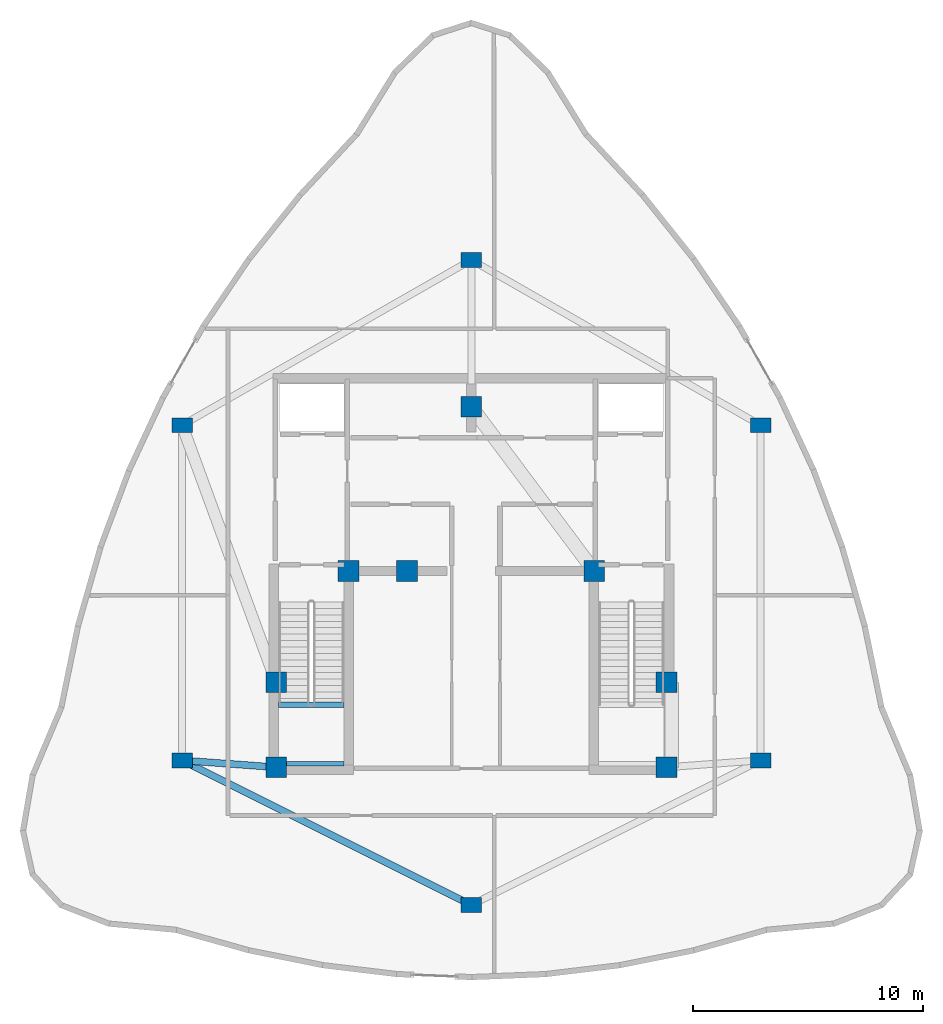
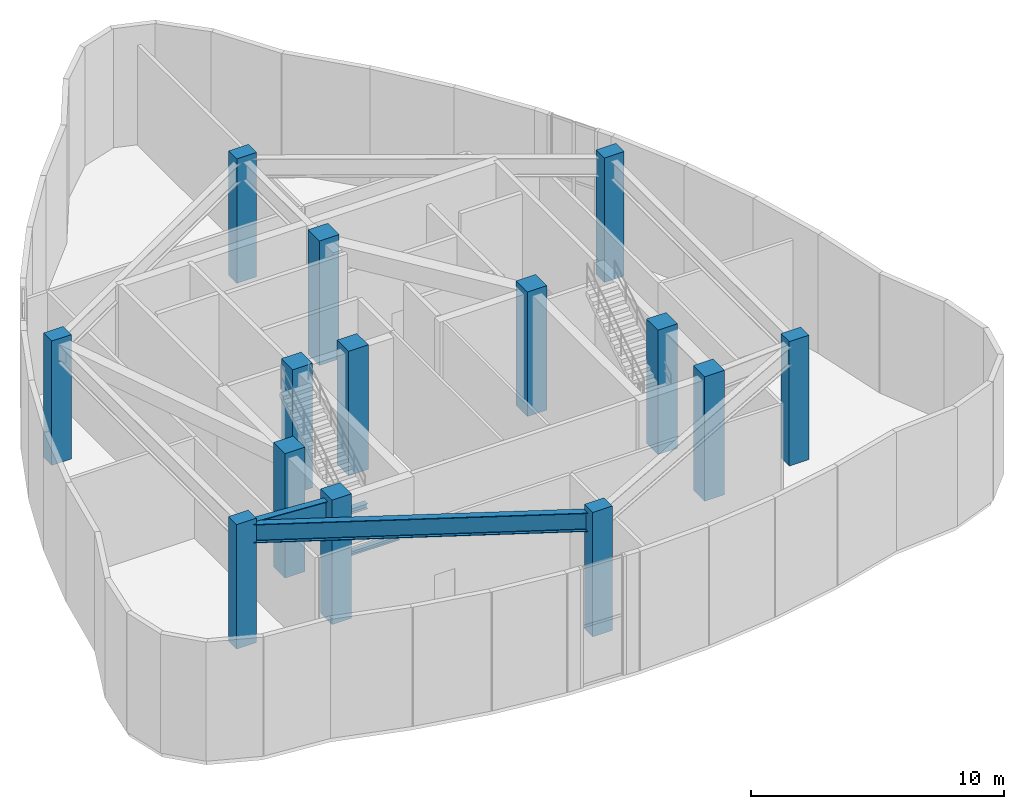
# One storey, part 1 of 10: 14 columns, 4 beams.
"""IFC4 building model written with IfcOpenShell, lengths in metres."""

from ifc_helpers import new_model, si_unit, direction, frame, origin, origin_2d, place, context, subcontext, project, spatial, rectangle, i_section, extrude, material, material_profile, profile_set, type_object, element, save


model = new_model("IFC4")

# Units and contexts
model_context = context("Model", 3, precision=1e-05, world=origin(), true_north=direction((0.0, 1.0)))
body_context = subcontext(model_context, "Body", "Model", "MODEL_VIEW")
ifc_project = project(units=[si_unit("LENGTHUNIT", "METRE"), si_unit("AREAUNIT", "SQUARE_METRE"), si_unit("VOLUMEUNIT", "CUBIC_METRE"), si_unit("PLANEANGLEUNIT", "RADIAN"), si_unit("MASSUNIT", "GRAM", prefix="KILO")], contexts=[model_context])

# Site, building, storey
site_placement = place(None, origin())
site = spatial("IfcSite", under=ifc_project, at=site_placement, CompositionType="ELEMENT")
building_placement = place(site_placement, origin())
building = spatial("IfcBuilding", under=site, at=building_placement, Name="Miruveldt Soraemaru", CompositionType="ELEMENT")
storey_placement = place(building_placement, frame((0.0, 0.0, 306.800048828125)))
storey = spatial("IfcBuildingStorey", under=building, at=storey_placement, Name="L81", CompositionType="ELEMENT", Elevation=306.800048828125)

# Columns
ifc_material_1 = material(Name="Concrete C50/60 (50 MPa)", Category="concrete")
ifc_material_profile_1 = material_profile(ifc_material_1, rectangle(XDim=0.89990234375, YDim=0.89990234375, at=origin_2d()), Name="Concrete C50/60 (50 MPa)", Category="concrete")
ifc_profile_set_1 = profile_set([ifc_material_profile_1], Name="Concrete C50/60 (50 MPa)")
column_type_1 = type_object("IfcColumnType", Name="COL-CORE-900", PredefinedType="COLUMN", material=ifc_profile_set_1)
for number, where, z_axis, x_axis, name in (
    (1, (35.5, 35.5, 0.0), (0.0, 0.0, 1.0), (1.0, 0.0, 0.0), "L81 Structural Column CC1"),
    (2, (38.64990234375, 44.050048828125, 0.0), (0.0, 0.0, 1.0), (1.0, 0.0, 0.0), "L81 Structural Column CC2"),
    (3, (52.5, 35.5, 0.0), (0.0, 0.0, 1.0), (1.0, 0.0, 0.0), "L81 Structural Column CC3"),
    (4, (52.5, 39.199951171875, 0.0), (0.0, 0.0, 1.0), (1.0, 0.0, 0.0), "L81 Structural Column CC4"),
    (5, (49.35009765625, 44.050048828125, 0.0), (0.0, 0.0, 1.0), (1.0, 0.0, 0.0), "L81 Structural Column CC5"),
    (6, (44.0, 51.199951171875, 0.0), (0.0, 0.0, 1.0), (1.0, 0.0, 0.0), "L81 Structural Column CC6"),
    (7, (35.5, 39.199951171875, 0.0), (0.0, 0.0, 1.0), (1.0, 0.0, 0.0), "L81 Structural Column CC7"),
    (8, (41.199951171875, 44.050048828125, 0.0), (0.0, 0.0, 1.0), (1.0, 0.0, 0.0), "L81 Structural Column CC8"),
):
    element("IfcColumn", number, at=place(storey_placement, frame(where, z_axis=z_axis, x_axis=x_axis)), inside=storey, type_object=column_type_1, Name=name, PredefinedType="COLUMN", context=body_context, shape_type="SweptSolid", body=[
        extrude(rectangle(XDim=0.89990234375, YDim=0.89990234375, at=origin_2d()), origin(), (0.0, 0.0, 1.0), 6.0),
    ])
ifc_material_profile_2 = material_profile(ifc_material_1, rectangle(XDim=0.89990234375, YDim=0.64990234375, at=origin_2d()), Name="Concrete C50/60 (50 MPa)", Category="concrete")
ifc_profile_set_2 = profile_set([ifc_material_profile_2], Name="Concrete C50/60 (50 MPa)")
column_type_2 = type_object("IfcColumnType", Name="COL-TW-Z4", PredefinedType="COLUMN", material=ifc_profile_set_2)
for number, where, z_axis, x_axis, name in (
    (9, (44.0, 57.60009765625, 0.0), (0.0, 0.0, 1.0), (1.0, 0.0, 0.0), "L81 Structural Column IR01"),
    (10, (56.60009765625, 50.39990234375, 0.0), (0.0, 0.0, 1.0), (1.0, 0.0, 0.0), "L81 Structural Column IR02"),
    (11, (56.60009765625, 35.800048828125, 0.0), (0.0, 0.0, 1.0), (1.0, 0.0, 0.0), "L81 Structural Column IR03"),
    (12, (44.0, 29.5, 0.0), (0.0, 0.0, 1.0), (1.0, 0.0, 0.0), "L81 Structural Column IR04"),
    (13, (31.39990234375, 35.800048828125, 0.0), (0.0, 0.0, 1.0), (1.0, 0.0, 0.0), "L81 Structural Column IR05"),
    (14, (31.39990234375, 50.39990234375, 0.0), (0.0, 0.0, 1.0), (1.0, 0.0, 0.0), "L81 Structural Column IR06"),
):
    element("IfcColumn", number, at=place(storey_placement, frame(where, z_axis=z_axis, x_axis=x_axis)), inside=storey, type_object=column_type_2, Name=name, PredefinedType="COLUMN", context=body_context, shape_type="SweptSolid", body=[
        extrude(rectangle(XDim=0.89990234375, YDim=0.64990234375, at=origin_2d()), origin(), (0.0, 0.0, 1.0), 6.0),
    ])

# Beams
ifc_material_2 = material(Name="Steel S460 (460 MPa)", Category="steel")
ifc_material_profile_3 = material_profile(ifc_material_2, i_section(OverallWidth=0.300048828125, OverallDepth=0.89990234375, WebThickness=0.01611328125, FlangeThickness=0.028076171875, FilletRadius=0.028076171875, at=origin_2d()), Name="Steel S460 (460 MPa)", Category="steel")
ifc_profile_set_3 = profile_set([ifc_material_profile_3], Name="Steel S460 (460 MPa)")
beam_type_1 = type_object("IfcBeamType", Name="BM-ST-H900", PredefinedType="BEAM", material=ifc_profile_set_3)
beam_1_placement = place(storey_placement, frame((44.0, 29.5, 5.2900390625), z_axis=(-0.894427191, 0.4472135955, 0.0), x_axis=(-0.4472135955, -0.894427191, 0.0)))
element("IfcBeam", 15, at=beam_1_placement, inside=storey, type_object=beam_type_1, Name="L81 Inner Ring Girder 4", PredefinedType="BEAM", context=body_context, shape_type="SweptSolid", body=[
    extrude(i_section(OverallWidth=0.300048828125, OverallDepth=0.89990234375, WebThickness=0.01611328125, FlangeThickness=0.028076171875, FilletRadius=0.028076171875, at=origin_2d()), origin(), (0.0, 0.0, 1.0), 14.08740234375),
])
beam_2_placement = place(storey_placement, frame((35.5, 35.5, 5.2900390625), z_axis=(-0.997332985605, 0.072985723431, 0.0), x_axis=(-0.072985723431, -0.997332985605, 0.0)))
element("IfcBeam", 16, at=beam_2_placement, inside=storey, type_object=beam_type_1, Name="L81 Core-to-Inner Radial Girder 5", PredefinedType="BEAM", context=body_context, shape_type="SweptSolid", body=[
    extrude(i_section(OverallWidth=0.300048828125, OverallDepth=0.89990234375, WebThickness=0.01611328125, FlangeThickness=0.028076171875, FilletRadius=0.028076171875, at=origin_2d()), origin(), (0.0, 0.0, 1.0), 4.111083984375),
])
ifc_material_3 = material(Name="Steel SM355 (355 MPa)", Category="steel")
ifc_material_profile_4 = material_profile(ifc_material_3, i_section(OverallWidth=0.199951171875, OverallDepth=0.199951171875, WebThickness=0.008056640625, FlangeThickness=0.011962890625, FilletRadius=0.012939453125, at=origin_2d()), Name="Steel SM355 (355 MPa)", Category="steel")
ifc_profile_set_4 = profile_set([ifc_material_profile_4], Name="Steel SM355 (355 MPa)")
beam_type_2 = type_object("IfcBeamType", Name="BM-ST-LND200", PredefinedType="BEAM", material=ifc_profile_set_4)
beam_3_placement = place(storey_placement, frame((35.60009765625, 35.64990234375, 2.699951171875), z_axis=(1.0, 0.0, 0.0), x_axis=(0.0, 1.0, 0.0)))
element("IfcBeam", 17, at=beam_3_placement, inside=storey, type_object=beam_type_2, Name="L81 ST1 Landing End Beam 1B", PredefinedType="BEAM", context=body_context, shape_type="SweptSolid", body=[
    extrude(i_section(OverallWidth=0.199951171875, OverallDepth=0.199951171875, WebThickness=0.008056640625, FlangeThickness=0.011962890625, FilletRadius=0.012939453125, at=origin_2d()), origin(), (0.0, 0.0, 1.0), 2.849853515625),
])
ifc_material_profile_5 = material_profile(ifc_material_3, i_section(OverallWidth=0.25, OverallDepth=0.25, WebThickness=0.009033203125, FlangeThickness=0.013916015625, FilletRadius=0.01611328125, at=origin_2d()), Name="Steel SM355 (355 MPa)", Category="steel")
ifc_profile_set_5 = profile_set([ifc_material_profile_5], Name="Steel SM355 (355 MPa)")
beam_type_3 = type_object("IfcBeamType", Name="BM-ST-LND250", PredefinedType="BEAM", material=ifc_profile_set_5)
beam_4_placement = place(storey_placement, frame((35.60009765625, 38.219970703125, 2.675048828125), z_axis=(1.0, 0.0, 0.0), x_axis=(0.0, 1.0, 0.0)))
element("IfcBeam", 18, at=beam_4_placement, inside=storey, type_object=beam_type_3, Name="L81 ST1 Landing Support Beam 1A", PredefinedType="BEAM", context=body_context, shape_type="SweptSolid", body=[
    extrude(i_section(OverallWidth=0.25, OverallDepth=0.25, WebThickness=0.009033203125, FlangeThickness=0.013916015625, FilletRadius=0.01611328125, at=origin_2d()), origin(), (0.0, 0.0, 1.0), 2.849853515625),
])

save(model, "model.ifc")
